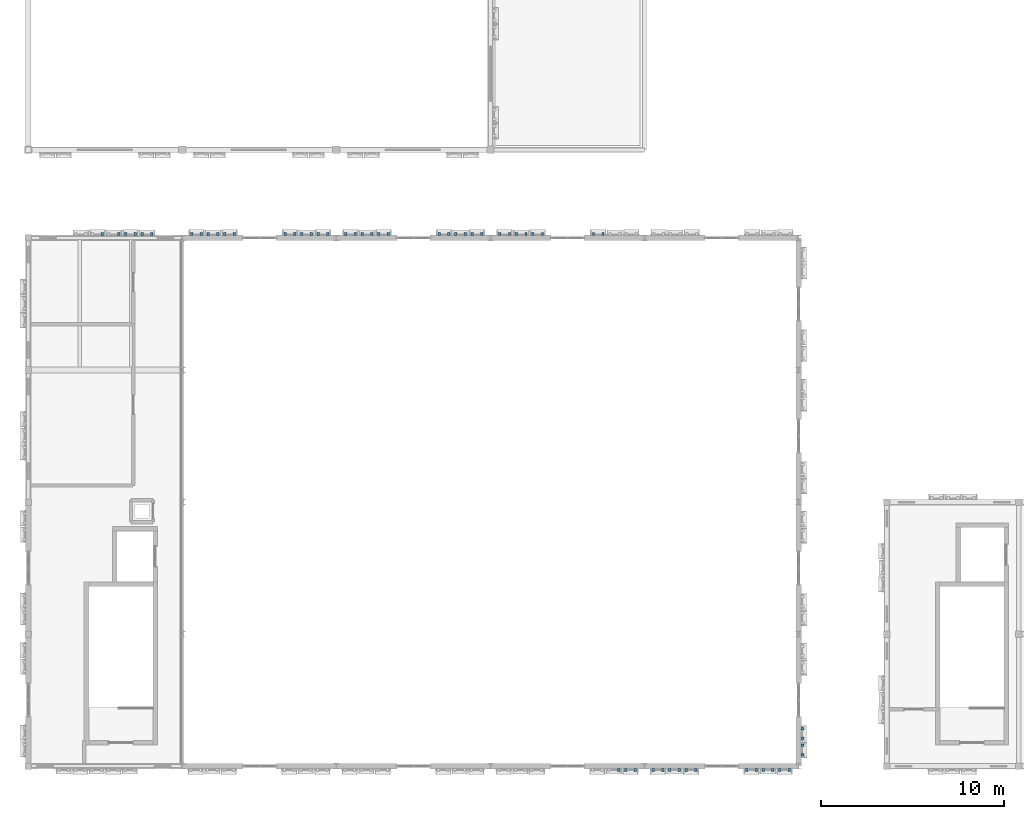
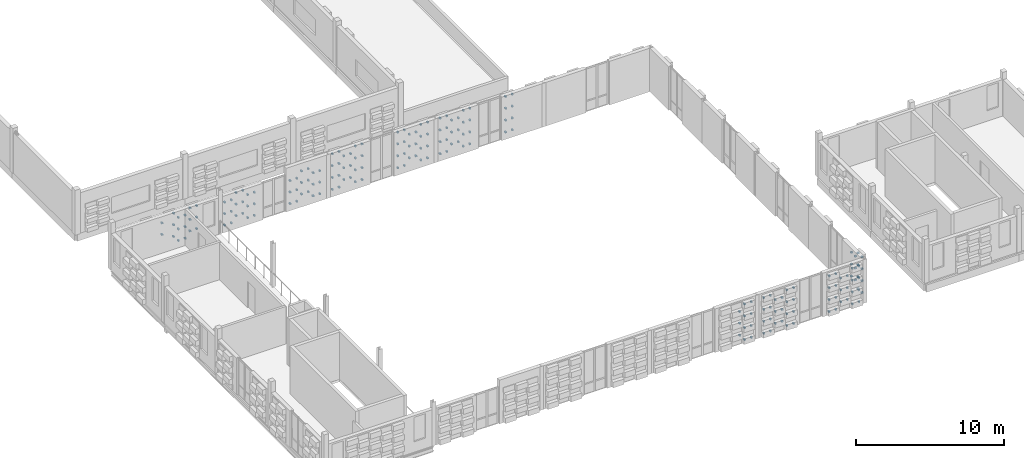
# One storey, part 46 of 57: 196 discrete accessories.
"""IFC4 building model written with IfcOpenShell, lengths in metres."""

from ifc_helpers import new_model, si_unit, direction, frame, origin, origin_2d, place, context, subcontext, project, spatial, rectangle, extrude, material, type_object, element, save


model = new_model("IFC4")

# Units and contexts
model_context = context("Model", 3, precision=1e-05, world=origin(), true_north=direction((0.0, 1.0)))
body_context = subcontext(model_context, "Body", "Model", "MODEL_VIEW")
ifc_project = project(units=[si_unit("LENGTHUNIT", "METRE"), si_unit("AREAUNIT", "SQUARE_METRE"), si_unit("VOLUMEUNIT", "CUBIC_METRE"), si_unit("PLANEANGLEUNIT", "RADIAN"), si_unit("MASSUNIT", "GRAM", prefix="KILO")], contexts=[model_context])

# Site, building, storey
site_placement = place(None, origin())
site = spatial("IfcSite", under=ifc_project, at=site_placement, CompositionType="ELEMENT")
building_placement = place(site_placement, origin())
building = spatial("IfcBuilding", under=site, at=building_placement, Name="Kahlenmark Community Centre", CompositionType="ELEMENT")
storey_placement = place(building_placement, frame((0.0, 0.0, 13.800048828125)))
storey = spatial("IfcBuildingStorey", under=building, at=storey_placement, Name="L03", CompositionType="ELEMENT", Elevation=13.800048828125)

# Discrete accessories
ifc_material = material(Name="Stainless steel 1.4401 rainscreen bracket", Category="steel")
discrete_accessory_type = type_object("IfcDiscreteAccessoryType", Name="DAT-BRACKET-TC", PredefinedType="BRACKET", material=ifc_material)
for number, where, z_axis, x_axis, name in (
    (1, (36.18994140625, 8.590087890625, 0.7548828125), (0.0, 0.0, 1.0), (1.0, 0.0, 0.0), "Terracotta cassette bracket 3513.2"),
    (2, (36.18994140625, 8.590087890625, 1.73486328125), (0.0, 0.0, 1.0), (1.0, 0.0, 0.0), "Terracotta cassette bracket 3515.2"),
    (3, (36.18994140625, 8.590087890625, 2.71484375), (0.0, 0.0, 1.0), (1.0, 0.0, 0.0), "Terracotta cassette bracket 3517.2"),
    (4, (36.570068359375, 8.590087890625, 0.264892578125), (0.0, 0.0, 1.0), (1.0, 0.0, 0.0), "Terracotta cassette bracket 3519.1"),
    (5, (37.090087890625, 8.590087890625, 0.264892578125), (0.0, 0.0, 1.0), (1.0, 0.0, 0.0), "Terracotta cassette bracket 3519.2"),
    (6, (36.570068359375, 8.590087890625, 1.244873046875), (0.0, 0.0, 1.0), (1.0, 0.0, 0.0), "Terracotta cassette bracket 3521.1"),
    (7, (37.090087890625, 8.590087890625, 1.244873046875), (0.0, 0.0, 1.0), (1.0, 0.0, 0.0), "Terracotta cassette bracket 3521.2"),
    (8, (36.570068359375, 8.590087890625, 2.224853515625), (0.0, 0.0, 1.0), (1.0, 0.0, 0.0), "Terracotta cassette bracket 3523.1"),
    (9, (37.090087890625, 8.590087890625, 2.224853515625), (0.0, 0.0, 1.0), (1.0, 0.0, 0.0), "Terracotta cassette bracket 3523.2"),
    (10, (36.570068359375, 8.590087890625, 3.204833984375), (0.0, 0.0, 1.0), (1.0, 0.0, 0.0), "Terracotta cassette bracket 3525.1"),
    (11, (37.090087890625, 8.590087890625, 3.204833984375), (0.0, 0.0, 1.0), (1.0, 0.0, 0.0), "Terracotta cassette bracket 3525.2"),
    (12, (38.070068359375, 8.590087890625, 0.264892578125), (0.0, 0.0, 1.0), (1.0, 0.0, 0.0), "Terracotta cassette bracket 3526.1"),
    (13, (38.590087890625, 8.590087890625, 0.264892578125), (0.0, 0.0, 1.0), (1.0, 0.0, 0.0), "Terracotta cassette bracket 3526.2"),
    (14, (38.070068359375, 8.590087890625, 1.244873046875), (0.0, 0.0, 1.0), (1.0, 0.0, 0.0), "Terracotta cassette bracket 3528.1"),
    (15, (38.590087890625, 8.590087890625, 1.244873046875), (0.0, 0.0, 1.0), (1.0, 0.0, 0.0), "Terracotta cassette bracket 3528.2"),
    (16, (38.070068359375, 8.590087890625, 2.224853515625), (0.0, 0.0, 1.0), (1.0, 0.0, 0.0), "Terracotta cassette bracket 3530.1"),
    (17, (38.590087890625, 8.590087890625, 2.224853515625), (0.0, 0.0, 1.0), (1.0, 0.0, 0.0), "Terracotta cassette bracket 3530.2"),
    (18, (38.070068359375, 8.590087890625, 3.204833984375), (0.0, 0.0, 1.0), (1.0, 0.0, 0.0), "Terracotta cassette bracket 3532.1"),
    (19, (38.590087890625, 8.590087890625, 3.204833984375), (0.0, 0.0, 1.0), (1.0, 0.0, 0.0), "Terracotta cassette bracket 3532.2"),
    (20, (38.969970703125, 8.590087890625, 0.7548828125), (0.0, 0.0, 1.0), (1.0, 0.0, 0.0), "Terracotta cassette bracket 3534.1"),
    (21, (39.489990234375, 8.590087890625, 0.7548828125), (0.0, 0.0, 1.0), (1.0, 0.0, 0.0), "Terracotta cassette bracket 3534.2"),
    (22, (38.969970703125, 8.590087890625, 1.73486328125), (0.0, 0.0, 1.0), (1.0, 0.0, 0.0), "Terracotta cassette bracket 3536.1"),
    (23, (39.489990234375, 8.590087890625, 1.73486328125), (0.0, 0.0, 1.0), (1.0, 0.0, 0.0), "Terracotta cassette bracket 3536.2"),
    (24, (38.969970703125, 8.590087890625, 2.71484375), (0.0, 0.0, 1.0), (1.0, 0.0, 0.0), "Terracotta cassette bracket 3538.1"),
    (25, (39.489990234375, 8.590087890625, 2.71484375), (0.0, 0.0, 1.0), (1.0, 0.0, 0.0), "Terracotta cassette bracket 3538.2"),
    (26, (39.8701171875, 8.590087890625, 0.264892578125), (0.0, 0.0, 1.0), (1.0, 0.0, 0.0), "Terracotta cassette bracket 3540.1"),
    (27, (40.389892578125, 8.590087890625, 0.264892578125), (0.0, 0.0, 1.0), (1.0, 0.0, 0.0), "Terracotta cassette bracket 3540.2"),
    (28, (39.8701171875, 8.590087890625, 1.244873046875), (0.0, 0.0, 1.0), (1.0, 0.0, 0.0), "Terracotta cassette bracket 3542.1"),
    (29, (40.389892578125, 8.590087890625, 1.244873046875), (0.0, 0.0, 1.0), (1.0, 0.0, 0.0), "Terracotta cassette bracket 3542.2"),
    (30, (39.8701171875, 8.590087890625, 2.224853515625), (0.0, 0.0, 1.0), (1.0, 0.0, 0.0), "Terracotta cassette bracket 3544.1"),
    (31, (40.389892578125, 8.590087890625, 2.224853515625), (0.0, 0.0, 1.0), (1.0, 0.0, 0.0), "Terracotta cassette bracket 3544.2"),
    (32, (39.8701171875, 8.590087890625, 3.204833984375), (0.0, 0.0, 1.0), (1.0, 0.0, 0.0), "Terracotta cassette bracket 3546.1"),
    (33, (40.389892578125, 8.590087890625, 3.204833984375), (0.0, 0.0, 1.0), (1.0, 0.0, 0.0), "Terracotta cassette bracket 3546.2"),
    (34, (43.169921875, 8.590087890625, 0.264892578125), (0.0, 0.0, 1.0), (1.0, 0.0, 0.0), "Terracotta cassette bracket 3547.1"),
    (35, (43.68994140625, 8.590087890625, 0.264892578125), (0.0, 0.0, 1.0), (1.0, 0.0, 0.0), "Terracotta cassette bracket 3547.2"),
    (36, (43.169921875, 8.590087890625, 1.244873046875), (0.0, 0.0, 1.0), (1.0, 0.0, 0.0), "Terracotta cassette bracket 3549.1"),
    (37, (43.68994140625, 8.590087890625, 1.244873046875), (0.0, 0.0, 1.0), (1.0, 0.0, 0.0), "Terracotta cassette bracket 3549.2"),
    (38, (43.169921875, 8.590087890625, 2.224853515625), (0.0, 0.0, 1.0), (1.0, 0.0, 0.0), "Terracotta cassette bracket 3551.1"),
    (39, (43.68994140625, 8.590087890625, 2.224853515625), (0.0, 0.0, 1.0), (1.0, 0.0, 0.0), "Terracotta cassette bracket 3551.2"),
    (40, (43.169921875, 8.590087890625, 3.204833984375), (0.0, 0.0, 1.0), (1.0, 0.0, 0.0), "Terracotta cassette bracket 3553.1"),
    (41, (43.68994140625, 8.590087890625, 3.204833984375), (0.0, 0.0, 1.0), (1.0, 0.0, 0.0), "Terracotta cassette bracket 3553.2"),
    (42, (44.070068359375, 8.590087890625, 0.7548828125), (0.0, 0.0, 1.0), (1.0, 0.0, 0.0), "Terracotta cassette bracket 3555.1"),
    (43, (44.590087890625, 8.590087890625, 0.7548828125), (0.0, 0.0, 1.0), (1.0, 0.0, 0.0), "Terracotta cassette bracket 3555.2"),
    (44, (44.070068359375, 8.590087890625, 1.73486328125), (0.0, 0.0, 1.0), (1.0, 0.0, 0.0), "Terracotta cassette bracket 3557.1"),
    (45, (44.590087890625, 8.590087890625, 1.73486328125), (0.0, 0.0, 1.0), (1.0, 0.0, 0.0), "Terracotta cassette bracket 3557.2"),
    (46, (44.070068359375, 8.590087890625, 2.71484375), (0.0, 0.0, 1.0), (1.0, 0.0, 0.0), "Terracotta cassette bracket 3559.1"),
    (47, (44.590087890625, 8.590087890625, 2.71484375), (0.0, 0.0, 1.0), (1.0, 0.0, 0.0), "Terracotta cassette bracket 3559.2"),
    (48, (44.969970703125, 8.590087890625, 0.264892578125), (0.0, 0.0, 1.0), (1.0, 0.0, 0.0), "Terracotta cassette bracket 3561.1"),
    (49, (45.489990234375, 8.590087890625, 0.264892578125), (0.0, 0.0, 1.0), (1.0, 0.0, 0.0), "Terracotta cassette bracket 3561.2"),
    (50, (44.969970703125, 8.590087890625, 1.244873046875), (0.0, 0.0, 1.0), (1.0, 0.0, 0.0), "Terracotta cassette bracket 3563.1"),
    (51, (45.489990234375, 8.590087890625, 1.244873046875), (0.0, 0.0, 1.0), (1.0, 0.0, 0.0), "Terracotta cassette bracket 3563.2"),
    (52, (44.969970703125, 8.590087890625, 2.224853515625), (0.0, 0.0, 1.0), (1.0, 0.0, 0.0), "Terracotta cassette bracket 3565.1"),
    (53, (45.489990234375, 8.590087890625, 2.224853515625), (0.0, 0.0, 1.0), (1.0, 0.0, 0.0), "Terracotta cassette bracket 3565.2"),
    (54, (44.969970703125, 8.590087890625, 3.204833984375), (0.0, 0.0, 1.0), (1.0, 0.0, 0.0), "Terracotta cassette bracket 3567.1"),
    (55, (45.489990234375, 8.590087890625, 3.204833984375), (0.0, 0.0, 1.0), (1.0, 0.0, 0.0), "Terracotta cassette bracket 3567.2"),
    (56, (10.72998046875, 37.81005859375, 0.732421875), (0.0, 0.0, 1.0), (-1.0, 0.0, 0.0), "Terracotta cassette bracket 3569.1"),
    (57, (10.2099609375, 37.81005859375, 0.732421875), (0.0, 0.0, 1.0), (-1.0, 0.0, 0.0), "Terracotta cassette bracket 3569.2"),
    (58, (10.72998046875, 37.81005859375, 1.682373046875), (0.0, 0.0, 1.0), (-1.0, 0.0, 0.0), "Terracotta cassette bracket 3571.1"),
    (59, (10.2099609375, 37.81005859375, 1.682373046875), (0.0, 0.0, 1.0), (-1.0, 0.0, 0.0), "Terracotta cassette bracket 3571.2"),
    (60, (10.72998046875, 37.81005859375, 2.63232421875), (0.0, 0.0, 1.0), (-1.0, 0.0, 0.0), "Terracotta cassette bracket 3573.1"),
    (61, (10.2099609375, 37.81005859375, 2.63232421875), (0.0, 0.0, 1.0), (-1.0, 0.0, 0.0), "Terracotta cassette bracket 3573.2"),
    (62, (9.830078125, 37.81005859375, 0.25732421875), (0.0, 0.0, 1.0), (-1.0, 0.0, 0.0), "Terracotta cassette bracket 3574.1"),
    (63, (9.31005859375, 37.81005859375, 0.25732421875), (0.0, 0.0, 1.0), (-1.0, 0.0, 0.0), "Terracotta cassette bracket 3574.2"),
    (64, (9.830078125, 37.81005859375, 1.207275390625), (0.0, 0.0, 1.0), (-1.0, 0.0, 0.0), "Terracotta cassette bracket 3576.1"),
    (65, (9.31005859375, 37.81005859375, 1.207275390625), (0.0, 0.0, 1.0), (-1.0, 0.0, 0.0), "Terracotta cassette bracket 3576.2"),
    (66, (9.830078125, 37.81005859375, 2.157470703125), (0.0, 0.0, 1.0), (-1.0, 0.0, 0.0), "Terracotta cassette bracket 3578.1"),
    (67, (9.31005859375, 37.81005859375, 2.157470703125), (0.0, 0.0, 1.0), (-1.0, 0.0, 0.0), "Terracotta cassette bracket 3578.2"),
    (68, (8.929931640625, 37.81005859375, 0.732421875), (0.0, 0.0, 1.0), (-1.0, 0.0, 0.0), "Terracotta cassette bracket 3581.1"),
    (69, (8.929931640625, 37.81005859375, 1.682373046875), (0.0, 0.0, 1.0), (-1.0, 0.0, 0.0), "Terracotta cassette bracket 3583.1"),
    (70, (8.929931640625, 37.81005859375, 2.63232421875), (0.0, 0.0, 1.0), (-1.0, 0.0, 0.0), "Terracotta cassette bracket 3585.1"),
    (71, (8.030029296875, 37.81005859375, 1.207275390625), (0.0, 0.0, 1.0), (-1.0, 0.0, 0.0), "Terracotta cassette bracket 3588.1"),
    (72, (8.030029296875, 37.81005859375, 2.157470703125), (0.0, 0.0, 1.0), (-1.0, 0.0, 0.0), "Terracotta cassette bracket 3590.1"),
    (73, (20.330078125, 37.81005859375, 0.25732421875), (0.0, 0.0, 1.0), (-1.0, 0.0, 0.0), "Terracotta cassette bracket 3598.1"),
    (74, (19.81005859375, 37.81005859375, 0.25732421875), (0.0, 0.0, 1.0), (-1.0, 0.0, 0.0), "Terracotta cassette bracket 3598.2"),
    (75, (20.330078125, 37.81005859375, 1.207275390625), (0.0, 0.0, 1.0), (-1.0, 0.0, 0.0), "Terracotta cassette bracket 3600.1"),
    (76, (19.81005859375, 37.81005859375, 1.207275390625), (0.0, 0.0, 1.0), (-1.0, 0.0, 0.0), "Terracotta cassette bracket 3600.2"),
    (77, (20.330078125, 37.81005859375, 2.157470703125), (0.0, 0.0, 1.0), (-1.0, 0.0, 0.0), "Terracotta cassette bracket 3602.1"),
    (78, (19.81005859375, 37.81005859375, 2.157470703125), (0.0, 0.0, 1.0), (-1.0, 0.0, 0.0), "Terracotta cassette bracket 3602.2"),
    (79, (19.429931640625, 37.81005859375, 0.732421875), (0.0, 0.0, 1.0), (-1.0, 0.0, 0.0), "Terracotta cassette bracket 3605.1"),
    (80, (18.909912109375, 37.81005859375, 0.732421875), (0.0, 0.0, 1.0), (-1.0, 0.0, 0.0), "Terracotta cassette bracket 3605.2"),
    (81, (19.429931640625, 37.81005859375, 1.682373046875), (0.0, 0.0, 1.0), (-1.0, 0.0, 0.0), "Terracotta cassette bracket 3607.1"),
    (82, (18.909912109375, 37.81005859375, 1.682373046875), (0.0, 0.0, 1.0), (-1.0, 0.0, 0.0), "Terracotta cassette bracket 3607.2"),
    (83, (19.429931640625, 37.81005859375, 2.63232421875), (0.0, 0.0, 1.0), (-1.0, 0.0, 0.0), "Terracotta cassette bracket 3609.1"),
    (84, (18.909912109375, 37.81005859375, 2.63232421875), (0.0, 0.0, 1.0), (-1.0, 0.0, 0.0), "Terracotta cassette bracket 3609.2"),
    (85, (18.530029296875, 37.81005859375, 0.25732421875), (0.0, 0.0, 1.0), (-1.0, 0.0, 0.0), "Terracotta cassette bracket 3610.1"),
    (86, (18.010009765625, 37.81005859375, 0.25732421875), (0.0, 0.0, 1.0), (-1.0, 0.0, 0.0), "Terracotta cassette bracket 3610.2"),
    (87, (18.530029296875, 37.81005859375, 1.207275390625), (0.0, 0.0, 1.0), (-1.0, 0.0, 0.0), "Terracotta cassette bracket 3612.1"),
    (88, (18.010009765625, 37.81005859375, 1.207275390625), (0.0, 0.0, 1.0), (-1.0, 0.0, 0.0), "Terracotta cassette bracket 3612.2"),
    (89, (18.530029296875, 37.81005859375, 2.157470703125), (0.0, 0.0, 1.0), (-1.0, 0.0, 0.0), "Terracotta cassette bracket 3614.1"),
    (90, (18.010009765625, 37.81005859375, 2.157470703125), (0.0, 0.0, 1.0), (-1.0, 0.0, 0.0), "Terracotta cassette bracket 3614.2"),
    (91, (15.22998046875, 37.81005859375, 0.25732421875), (0.0, 0.0, 1.0), (-1.0, 0.0, 0.0), "Terracotta cassette bracket 3616.1"),
    (92, (14.7099609375, 37.81005859375, 0.25732421875), (0.0, 0.0, 1.0), (-1.0, 0.0, 0.0), "Terracotta cassette bracket 3616.2"),
    (93, (15.22998046875, 37.81005859375, 1.207275390625), (0.0, 0.0, 1.0), (-1.0, 0.0, 0.0), "Terracotta cassette bracket 3618.1"),
    (94, (14.7099609375, 37.81005859375, 1.207275390625), (0.0, 0.0, 1.0), (-1.0, 0.0, 0.0), "Terracotta cassette bracket 3618.2"),
    (95, (15.22998046875, 37.81005859375, 2.157470703125), (0.0, 0.0, 1.0), (-1.0, 0.0, 0.0), "Terracotta cassette bracket 3620.1"),
    (96, (14.7099609375, 37.81005859375, 2.157470703125), (0.0, 0.0, 1.0), (-1.0, 0.0, 0.0), "Terracotta cassette bracket 3620.2"),
    (97, (14.330078125, 37.81005859375, 0.732421875), (0.0, 0.0, 1.0), (-1.0, 0.0, 0.0), "Terracotta cassette bracket 3623.1"),
    (98, (13.81005859375, 37.81005859375, 0.732421875), (0.0, 0.0, 1.0), (-1.0, 0.0, 0.0), "Terracotta cassette bracket 3623.2"),
    (99, (14.330078125, 37.81005859375, 1.682373046875), (0.0, 0.0, 1.0), (-1.0, 0.0, 0.0), "Terracotta cassette bracket 3625.1"),
    (100, (13.81005859375, 37.81005859375, 1.682373046875), (0.0, 0.0, 1.0), (-1.0, 0.0, 0.0), "Terracotta cassette bracket 3625.2"),
    (101, (14.330078125, 37.81005859375, 2.63232421875), (0.0, 0.0, 1.0), (-1.0, 0.0, 0.0), "Terracotta cassette bracket 3627.1"),
    (102, (13.81005859375, 37.81005859375, 2.63232421875), (0.0, 0.0, 1.0), (-1.0, 0.0, 0.0), "Terracotta cassette bracket 3627.2"),
    (103, (13.429931640625, 37.81005859375, 0.25732421875), (0.0, 0.0, 1.0), (-1.0, 0.0, 0.0), "Terracotta cassette bracket 3628.1"),
    (104, (12.909912109375, 37.81005859375, 0.25732421875), (0.0, 0.0, 1.0), (-1.0, 0.0, 0.0), "Terracotta cassette bracket 3628.2"),
    (105, (13.429931640625, 37.81005859375, 1.207275390625), (0.0, 0.0, 1.0), (-1.0, 0.0, 0.0), "Terracotta cassette bracket 3630.1"),
    (106, (12.909912109375, 37.81005859375, 1.207275390625), (0.0, 0.0, 1.0), (-1.0, 0.0, 0.0), "Terracotta cassette bracket 3630.2"),
    (107, (13.429931640625, 37.81005859375, 2.157470703125), (0.0, 0.0, 1.0), (-1.0, 0.0, 0.0), "Terracotta cassette bracket 3632.1"),
    (108, (12.909912109375, 37.81005859375, 2.157470703125), (0.0, 0.0, 1.0), (-1.0, 0.0, 0.0), "Terracotta cassette bracket 3632.2"),
    (109, (28.72998046875, 37.81005859375, 0.264892578125), (0.0, 0.0, 1.0), (-1.0, 0.0, 0.0), "Terracotta cassette bracket 3634.1"),
    (110, (28.2099609375, 37.81005859375, 0.264892578125), (0.0, 0.0, 1.0), (-1.0, 0.0, 0.0), "Terracotta cassette bracket 3634.2"),
    (111, (28.72998046875, 37.81005859375, 1.244873046875), (0.0, 0.0, 1.0), (-1.0, 0.0, 0.0), "Terracotta cassette bracket 3636.1"),
    (112, (28.2099609375, 37.81005859375, 1.244873046875), (0.0, 0.0, 1.0), (-1.0, 0.0, 0.0), "Terracotta cassette bracket 3636.2"),
    (113, (28.72998046875, 37.81005859375, 2.224853515625), (0.0, 0.0, 1.0), (-1.0, 0.0, 0.0), "Terracotta cassette bracket 3638.1"),
    (114, (28.2099609375, 37.81005859375, 2.224853515625), (0.0, 0.0, 1.0), (-1.0, 0.0, 0.0), "Terracotta cassette bracket 3638.2"),
    (115, (28.72998046875, 37.81005859375, 3.204833984375), (0.0, 0.0, 1.0), (-1.0, 0.0, 0.0), "Terracotta cassette bracket 3640.1"),
    (116, (28.2099609375, 37.81005859375, 3.204833984375), (0.0, 0.0, 1.0), (-1.0, 0.0, 0.0), "Terracotta cassette bracket 3640.2"),
    (117, (27.830078125, 37.81005859375, 0.7548828125), (0.0, 0.0, 1.0), (-1.0, 0.0, 0.0), "Terracotta cassette bracket 3642.1"),
    (118, (27.31005859375, 37.81005859375, 0.7548828125), (0.0, 0.0, 1.0), (-1.0, 0.0, 0.0), "Terracotta cassette bracket 3642.2"),
    (119, (27.830078125, 37.81005859375, 1.73486328125), (0.0, 0.0, 1.0), (-1.0, 0.0, 0.0), "Terracotta cassette bracket 3644.1"),
    (120, (27.31005859375, 37.81005859375, 1.73486328125), (0.0, 0.0, 1.0), (-1.0, 0.0, 0.0), "Terracotta cassette bracket 3644.2"),
    (121, (27.830078125, 37.81005859375, 2.71484375), (0.0, 0.0, 1.0), (-1.0, 0.0, 0.0), "Terracotta cassette bracket 3646.1"),
    (122, (27.31005859375, 37.81005859375, 2.71484375), (0.0, 0.0, 1.0), (-1.0, 0.0, 0.0), "Terracotta cassette bracket 3646.2"),
    (123, (26.929931640625, 37.81005859375, 0.264892578125), (0.0, 0.0, 1.0), (-1.0, 0.0, 0.0), "Terracotta cassette bracket 3648.1"),
    (124, (26.409912109375, 37.81005859375, 0.264892578125), (0.0, 0.0, 1.0), (-1.0, 0.0, 0.0), "Terracotta cassette bracket 3648.2"),
    (125, (26.929931640625, 37.81005859375, 1.244873046875), (0.0, 0.0, 1.0), (-1.0, 0.0, 0.0), "Terracotta cassette bracket 3650.1"),
    (126, (26.409912109375, 37.81005859375, 1.244873046875), (0.0, 0.0, 1.0), (-1.0, 0.0, 0.0), "Terracotta cassette bracket 3650.2"),
    (127, (26.929931640625, 37.81005859375, 2.224853515625), (0.0, 0.0, 1.0), (-1.0, 0.0, 0.0), "Terracotta cassette bracket 3652.1"),
    (128, (26.409912109375, 37.81005859375, 2.224853515625), (0.0, 0.0, 1.0), (-1.0, 0.0, 0.0), "Terracotta cassette bracket 3652.2"),
    (129, (26.929931640625, 37.81005859375, 3.204833984375), (0.0, 0.0, 1.0), (-1.0, 0.0, 0.0), "Terracotta cassette bracket 3654.1"),
    (130, (26.409912109375, 37.81005859375, 3.204833984375), (0.0, 0.0, 1.0), (-1.0, 0.0, 0.0), "Terracotta cassette bracket 3654.2"),
    (131, (23.6298828125, 37.81005859375, 0.264892578125), (0.0, 0.0, 1.0), (-1.0, 0.0, 0.0), "Terracotta cassette bracket 3655.1"),
    (132, (23.110107421875, 37.81005859375, 0.264892578125), (0.0, 0.0, 1.0), (-1.0, 0.0, 0.0), "Terracotta cassette bracket 3655.2"),
    (133, (23.6298828125, 37.81005859375, 1.244873046875), (0.0, 0.0, 1.0), (-1.0, 0.0, 0.0), "Terracotta cassette bracket 3657.1"),
    (134, (23.110107421875, 37.81005859375, 1.244873046875), (0.0, 0.0, 1.0), (-1.0, 0.0, 0.0), "Terracotta cassette bracket 3657.2"),
    (135, (23.6298828125, 37.81005859375, 2.224853515625), (0.0, 0.0, 1.0), (-1.0, 0.0, 0.0), "Terracotta cassette bracket 3659.1"),
    (136, (23.110107421875, 37.81005859375, 2.224853515625), (0.0, 0.0, 1.0), (-1.0, 0.0, 0.0), "Terracotta cassette bracket 3659.2"),
    (137, (23.6298828125, 37.81005859375, 3.204833984375), (0.0, 0.0, 1.0), (-1.0, 0.0, 0.0), "Terracotta cassette bracket 3661.1"),
    (138, (23.110107421875, 37.81005859375, 3.204833984375), (0.0, 0.0, 1.0), (-1.0, 0.0, 0.0), "Terracotta cassette bracket 3661.2"),
    (139, (22.72998046875, 37.81005859375, 0.7548828125), (0.0, 0.0, 1.0), (-1.0, 0.0, 0.0), "Terracotta cassette bracket 3663.1"),
    (140, (22.2099609375, 37.81005859375, 0.7548828125), (0.0, 0.0, 1.0), (-1.0, 0.0, 0.0), "Terracotta cassette bracket 3663.2"),
    (141, (22.72998046875, 37.81005859375, 1.73486328125), (0.0, 0.0, 1.0), (-1.0, 0.0, 0.0), "Terracotta cassette bracket 3665.1"),
    (142, (22.2099609375, 37.81005859375, 1.73486328125), (0.0, 0.0, 1.0), (-1.0, 0.0, 0.0), "Terracotta cassette bracket 3665.2"),
    (143, (22.72998046875, 37.81005859375, 2.71484375), (0.0, 0.0, 1.0), (-1.0, 0.0, 0.0), "Terracotta cassette bracket 3667.1"),
    (144, (22.2099609375, 37.81005859375, 2.71484375), (0.0, 0.0, 1.0), (-1.0, 0.0, 0.0), "Terracotta cassette bracket 3667.2"),
    (145, (21.830078125, 37.81005859375, 0.264892578125), (0.0, 0.0, 1.0), (-1.0, 0.0, 0.0), "Terracotta cassette bracket 3669.1"),
    (146, (21.31005859375, 37.81005859375, 0.264892578125), (0.0, 0.0, 1.0), (-1.0, 0.0, 0.0), "Terracotta cassette bracket 3669.2"),
    (147, (21.830078125, 37.81005859375, 1.244873046875), (0.0, 0.0, 1.0), (-1.0, 0.0, 0.0), "Terracotta cassette bracket 3671.1"),
    (148, (21.31005859375, 37.81005859375, 1.244873046875), (0.0, 0.0, 1.0), (-1.0, 0.0, 0.0), "Terracotta cassette bracket 3671.2"),
    (149, (21.830078125, 37.81005859375, 2.224853515625), (0.0, 0.0, 1.0), (-1.0, 0.0, 0.0), "Terracotta cassette bracket 3673.1"),
    (150, (21.31005859375, 37.81005859375, 2.224853515625), (0.0, 0.0, 1.0), (-1.0, 0.0, 0.0), "Terracotta cassette bracket 3673.2"),
    (151, (21.830078125, 37.81005859375, 3.204833984375), (0.0, 0.0, 1.0), (-1.0, 0.0, 0.0), "Terracotta cassette bracket 3675.1"),
    (152, (21.31005859375, 37.81005859375, 3.204833984375), (0.0, 0.0, 1.0), (-1.0, 0.0, 0.0), "Terracotta cassette bracket 3675.2"),
    (153, (35.330078125, 37.81005859375, 0.264892578125), (0.0, 0.0, 1.0), (-1.0, 0.0, 0.0), "Terracotta cassette bracket 3690.1"),
    (154, (34.81005859375, 37.81005859375, 0.264892578125), (0.0, 0.0, 1.0), (-1.0, 0.0, 0.0), "Terracotta cassette bracket 3690.2"),
    (155, (35.330078125, 37.81005859375, 1.244873046875), (0.0, 0.0, 1.0), (-1.0, 0.0, 0.0), "Terracotta cassette bracket 3692.1"),
    (156, (34.81005859375, 37.81005859375, 1.244873046875), (0.0, 0.0, 1.0), (-1.0, 0.0, 0.0), "Terracotta cassette bracket 3692.2"),
    (157, (35.330078125, 37.81005859375, 2.224853515625), (0.0, 0.0, 1.0), (-1.0, 0.0, 0.0), "Terracotta cassette bracket 3694.1"),
    (158, (34.81005859375, 37.81005859375, 2.224853515625), (0.0, 0.0, 1.0), (-1.0, 0.0, 0.0), "Terracotta cassette bracket 3694.2"),
    (159, (35.330078125, 37.81005859375, 3.204833984375), (0.0, 0.0, 1.0), (-1.0, 0.0, 0.0), "Terracotta cassette bracket 3696.1"),
    (160, (34.81005859375, 37.81005859375, 3.204833984375), (0.0, 0.0, 1.0), (-1.0, 0.0, 0.0), "Terracotta cassette bracket 3696.2"),
    (161, (32.030029296875, 37.81005859375, 0.264892578125), (0.0, 0.0, 1.0), (-1.0, 0.0, 0.0), "Terracotta cassette bracket 3697.1"),
    (162, (31.510009765625, 37.81005859375, 0.264892578125), (0.0, 0.0, 1.0), (-1.0, 0.0, 0.0), "Terracotta cassette bracket 3697.2"),
    (163, (32.030029296875, 37.81005859375, 1.244873046875), (0.0, 0.0, 1.0), (-1.0, 0.0, 0.0), "Terracotta cassette bracket 3699.1"),
    (164, (31.510009765625, 37.81005859375, 1.244873046875), (0.0, 0.0, 1.0), (-1.0, 0.0, 0.0), "Terracotta cassette bracket 3699.2"),
    (165, (32.030029296875, 37.81005859375, 2.224853515625), (0.0, 0.0, 1.0), (-1.0, 0.0, 0.0), "Terracotta cassette bracket 3701.1"),
    (166, (31.510009765625, 37.81005859375, 2.224853515625), (0.0, 0.0, 1.0), (-1.0, 0.0, 0.0), "Terracotta cassette bracket 3701.2"),
    (167, (32.030029296875, 37.81005859375, 3.204833984375), (0.0, 0.0, 1.0), (-1.0, 0.0, 0.0), "Terracotta cassette bracket 3703.1"),
    (168, (31.510009765625, 37.81005859375, 3.204833984375), (0.0, 0.0, 1.0), (-1.0, 0.0, 0.0), "Terracotta cassette bracket 3703.2"),
    (169, (31.1298828125, 37.81005859375, 0.7548828125), (0.0, 0.0, 1.0), (-1.0, 0.0, 0.0), "Terracotta cassette bracket 3705.1"),
    (170, (30.610107421875, 37.81005859375, 0.7548828125), (0.0, 0.0, 1.0), (-1.0, 0.0, 0.0), "Terracotta cassette bracket 3705.2"),
    (171, (31.1298828125, 37.81005859375, 1.73486328125), (0.0, 0.0, 1.0), (-1.0, 0.0, 0.0), "Terracotta cassette bracket 3707.1"),
    (172, (30.610107421875, 37.81005859375, 1.73486328125), (0.0, 0.0, 1.0), (-1.0, 0.0, 0.0), "Terracotta cassette bracket 3707.2"),
    (173, (31.1298828125, 37.81005859375, 2.71484375), (0.0, 0.0, 1.0), (-1.0, 0.0, 0.0), "Terracotta cassette bracket 3709.1"),
    (174, (30.610107421875, 37.81005859375, 2.71484375), (0.0, 0.0, 1.0), (-1.0, 0.0, 0.0), "Terracotta cassette bracket 3709.2"),
    (175, (30.22998046875, 37.81005859375, 0.264892578125), (0.0, 0.0, 1.0), (-1.0, 0.0, 0.0), "Terracotta cassette bracket 3711.1"),
    (176, (29.7099609375, 37.81005859375, 0.264892578125), (0.0, 0.0, 1.0), (-1.0, 0.0, 0.0), "Terracotta cassette bracket 3711.2"),
    (177, (30.22998046875, 37.81005859375, 1.244873046875), (0.0, 0.0, 1.0), (-1.0, 0.0, 0.0), "Terracotta cassette bracket 3713.1"),
    (178, (29.7099609375, 37.81005859375, 1.244873046875), (0.0, 0.0, 1.0), (-1.0, 0.0, 0.0), "Terracotta cassette bracket 3713.2"),
    (179, (30.22998046875, 37.81005859375, 2.224853515625), (0.0, 0.0, 1.0), (-1.0, 0.0, 0.0), "Terracotta cassette bracket 3715.1"),
    (180, (29.7099609375, 37.81005859375, 2.224853515625), (0.0, 0.0, 1.0), (-1.0, 0.0, 0.0), "Terracotta cassette bracket 3715.2"),
    (181, (30.22998046875, 37.81005859375, 3.204833984375), (0.0, 0.0, 1.0), (-1.0, 0.0, 0.0), "Terracotta cassette bracket 3717.1"),
    (182, (29.7099609375, 37.81005859375, 3.204833984375), (0.0, 0.0, 1.0), (-1.0, 0.0, 0.0), "Terracotta cassette bracket 3717.2"),
    (183, (46.2099609375, 9.419921875, 0.264892578125), (0.0, 0.0, 1.0), (0.0, 1.0, 0.0), "Terracotta cassette bracket 3844.1"),
    (184, (46.2099609375, 9.93994140625, 0.264892578125), (0.0, 0.0, 1.0), (0.0, 1.0, 0.0), "Terracotta cassette bracket 3844.2"),
    (185, (46.2099609375, 9.419921875, 1.244873046875), (0.0, 0.0, 1.0), (0.0, 1.0, 0.0), "Terracotta cassette bracket 3846.1"),
    (186, (46.2099609375, 9.93994140625, 1.244873046875), (0.0, 0.0, 1.0), (0.0, 1.0, 0.0), "Terracotta cassette bracket 3846.2"),
    (187, (46.2099609375, 9.419921875, 2.224853515625), (0.0, 0.0, 1.0), (0.0, 1.0, 0.0), "Terracotta cassette bracket 3848.1"),
    (188, (46.2099609375, 9.93994140625, 2.224853515625), (0.0, 0.0, 1.0), (0.0, 1.0, 0.0), "Terracotta cassette bracket 3848.2"),
    (189, (46.2099609375, 9.419921875, 3.204833984375), (0.0, 0.0, 1.0), (0.0, 1.0, 0.0), "Terracotta cassette bracket 3850.1"),
    (190, (46.2099609375, 9.93994140625, 3.204833984375), (0.0, 0.0, 1.0), (0.0, 1.0, 0.0), "Terracotta cassette bracket 3850.2"),
    (191, (46.2099609375, 10.320068359375, 0.7548828125), (0.0, 0.0, 1.0), (0.0, 1.0, 0.0), "Terracotta cassette bracket 3852.1"),
    (192, (46.2099609375, 10.840087890625, 0.7548828125), (0.0, 0.0, 1.0), (0.0, 1.0, 0.0), "Terracotta cassette bracket 3852.2"),
    (193, (46.2099609375, 10.320068359375, 1.73486328125), (0.0, 0.0, 1.0), (0.0, 1.0, 0.0), "Terracotta cassette bracket 3854.1"),
    (194, (46.2099609375, 10.840087890625, 1.73486328125), (0.0, 0.0, 1.0), (0.0, 1.0, 0.0), "Terracotta cassette bracket 3854.2"),
    (195, (46.2099609375, 10.320068359375, 2.71484375), (0.0, 0.0, 1.0), (0.0, 1.0, 0.0), "Terracotta cassette bracket 3856.1"),
    (196, (46.2099609375, 10.840087890625, 2.71484375), (0.0, 0.0, 1.0), (0.0, 1.0, 0.0), "Terracotta cassette bracket 3856.2"),
):
    element("IfcDiscreteAccessory", number, at=place(storey_placement, frame(where, z_axis=z_axis, x_axis=x_axis)), inside=storey, type_object=discrete_accessory_type, Name=name, PredefinedType="BRACKET", context=body_context, shape_type="SweptSolid", body=[
        extrude(rectangle(XDim=0.1201171875, YDim=0.159912109375, at=origin_2d()), origin(), (0.0, 0.0, 1.0), 0.1201171875),
    ])

save(model, "model.ifc")
